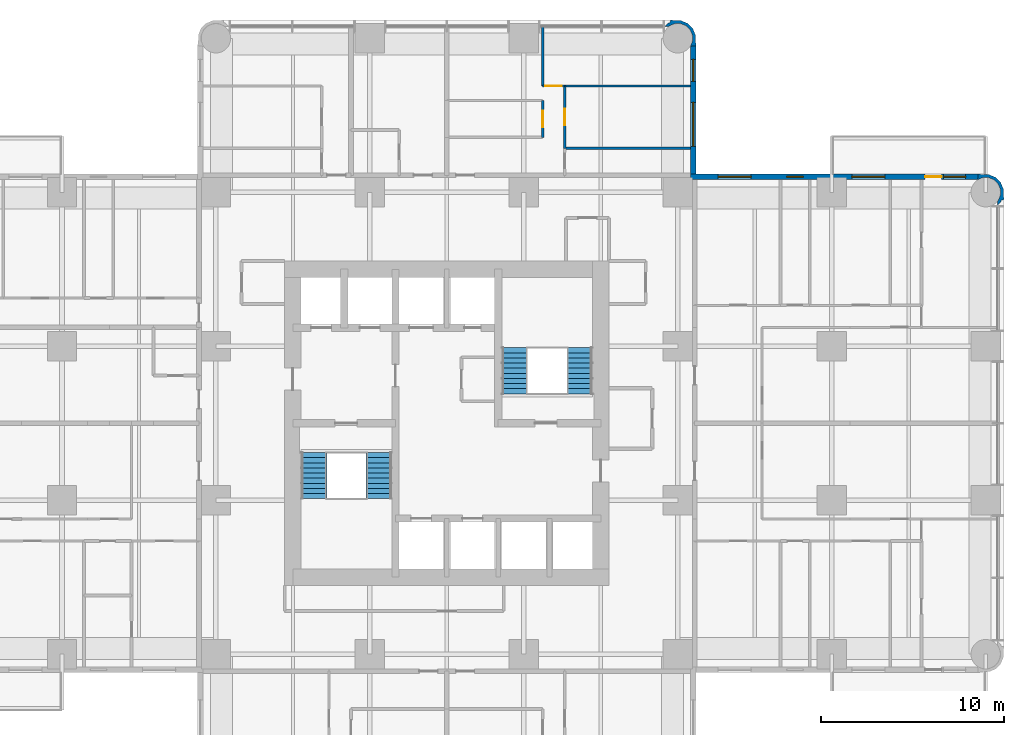
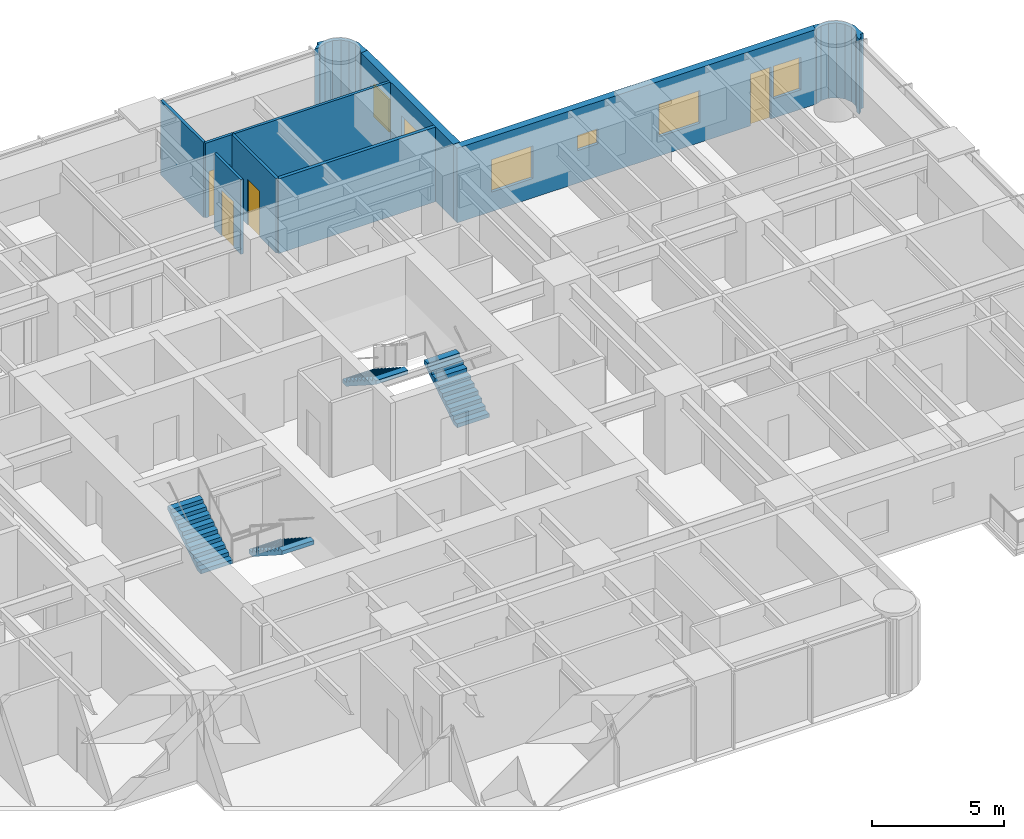
# One storey, part 12 of 14: 10 walls, 6 windows, 4 doors, 4 stair flights, 10 openings, 2 elements without a shape of their own.
"""IFC4 building model written with IfcOpenShell, lengths in metres."""

from ifc_helpers import new_model, si_unit, direction, frame, frame_2d, origin, place, context, subcontext, project, spatial, polyline, rectangle, outline, extrude, material, layer, layer_set, type_object, element, fill, aggregate, save


model = new_model("IFC4")

# Units and contexts
model_context = context("Model", 3, precision=1e-05, world=origin(), true_north=direction((0.0, 1.0)))
body_context = subcontext(model_context, "Body", "Model", "MODEL_VIEW")
ifc_project = project(units=[si_unit("LENGTHUNIT", "METRE"), si_unit("AREAUNIT", "SQUARE_METRE"), si_unit("VOLUMEUNIT", "CUBIC_METRE"), si_unit("PLANEANGLEUNIT", "RADIAN"), si_unit("MASSUNIT", "GRAM", prefix="KILO")], contexts=[model_context])

# Site, building, storey
site_placement = place(None, origin())
site = spatial("IfcSite", under=ifc_project, at=site_placement, CompositionType="ELEMENT")
building_placement = place(site_placement, origin())
building = spatial("IfcBuilding", under=site, at=building_placement, Name="Torre Alcanfor", CompositionType="ELEMENT")
storey_placement = place(building_placement, frame((0.0, 0.0, 134.10009765625)))
storey = spatial("IfcBuildingStorey", under=building, at=storey_placement, Name="L34", CompositionType="ELEMENT", Elevation=134.10009765625)

# Wall, opening, door
ifc_material_1 = material(Name="Gypsum board on steel studs", Category="steel")
ifc_layer_1 = layer(ifc_material_1, 0.1201171875)
ifc_layer_set_1 = layer_set([ifc_layer_1], Name="Apartment partition 120")
wall_type_1 = type_object("IfcWallType", Name="Apartment partition 120", PredefinedType="PARTITIONING", material=ifc_layer_set_1)
wall_1_placement = place(storey_placement, frame((34.62890625, 47.0, 0.0), z_axis=(0.0, 0.0, 1.0), x_axis=(0.0, -1.0, 0.0)))
wall_1 = element("IfcWall", 1, at=wall_1_placement, inside=storey, type_object=wall_type_1, Name="Partition L34-N2-KITCHEN / L34-N2-LIVING", PredefinedType="PARTITIONING", context=body_context, shape_type="SweptSolid", body=[
    extrude(rectangle(XDim=2.0, YDim=0.1201171875, at=frame_2d((1.0, 0.0))), origin(), (0.0, 0.0, 1.0), 3.449951171875),
])
opening_1_placement = place(wall_1_placement, frame((0.550048828125, 0.0, 0.0)))
opening_1 = element("IfcOpeningElement", 2, at=opening_1_placement, cuts=wall_1, Name="Opening D-R1", PredefinedType="OPENING", context=body_context, shape_type="SweptSolid", body=[
    extrude(rectangle(XDim=0.89990234375, YDim=2.10009765625, at=frame_2d((0.449951171875, 1.050048828125))), frame((0.0, 0.070068359375, 0.0), z_axis=(0.0, -1.0, 0.0), x_axis=(1.0, 0.0, 0.0)), (0.0, 0.0, 1.0), 0.14013671875),
])
ifc_material_2 = material(Name="Timber", Category="wood")
door_type_1 = type_object("IfcDoorType", Name="Internal door 900x2100", OperationType="SINGLE_SWING_LEFT", PredefinedType="DOOR", material=ifc_material_2)
door_1_placement = place(opening_1_placement, frame((0.89990234375, 0.0, 0.0), z_axis=(0.0, 0.0, 1.0), x_axis=(-1.0, 0.0, 0.0)))
door_1 = element("IfcDoor", 3, at=door_1_placement, inside=storey, type_object=door_type_1, Name="Door L34-N2 kitchen", OperationType="SINGLE_SWING_RIGHT", OverallHeight=2.10009765625, OverallWidth=0.89990234375, PredefinedType="DOOR", context=body_context, shape_type="SweptSolid", body=[
    extrude(rectangle(XDim=0.89990234375, YDim=2.10009765625, at=frame_2d((0.449951171875, 1.050048828125))), frame((0.0, 0.025146484375, 0.0), z_axis=(0.0, -1.0, 0.0), x_axis=(1.0, 0.0, 0.0)), (0.0, 0.0, 1.0), 0.050048828125),
])
fill(opening_1, door_1)

wall_2_placement = place(storey_placement, frame((35.8291015625, 47.800048828125, 0.0), z_axis=(0.0, 0.0, 1.0), x_axis=(0.0, -1.0, 0.0)))
wall_2 = element("IfcWall", 4, at=wall_2_placement, inside=storey, type_object=wall_type_1, Name="Partition L34-N2-LIVING / L34-N2-STUDY", PredefinedType="PARTITIONING", context=body_context, shape_type="SweptSolid", body=[
    extrude(rectangle(XDim=3.400146484375, YDim=0.1201171875, at=frame_2d((1.7001953125, 0.0))), origin(), (0.0, 0.0, 1.0), 3.449951171875),
])
opening_2_placement = place(wall_2_placement, frame((1.25, 0.0, 0.0)))
opening_2 = element("IfcOpeningElement", 5, at=opening_2_placement, cuts=wall_2, Name="Opening D-R1", PredefinedType="OPENING", context=body_context, shape_type="SweptSolid", body=[
    extrude(rectangle(XDim=0.89990234375, YDim=2.10009765625, at=frame_2d((0.449951171875, 1.050048828125))), frame((0.0, 0.070068359375, 0.0), z_axis=(0.0, -1.0, 0.0), x_axis=(1.0, 0.0, 0.0)), (0.0, 0.0, 1.0), 0.14013671875),
])
door_2_placement = place(opening_2_placement, origin())
door_2 = element("IfcDoor", 6, at=door_2_placement, inside=storey, type_object=door_type_1, Name="Door L34-N2 study", OperationType="SINGLE_SWING_LEFT", OverallHeight=2.10009765625, OverallWidth=0.89990234375, PredefinedType="DOOR", context=body_context, shape_type="SweptSolid", body=[
    extrude(rectangle(XDim=0.89990234375, YDim=2.10009765625, at=frame_2d((0.449951171875, 1.050048828125))), frame((0.0, 0.02490234375, 0.0), z_axis=(0.0, -1.0, 0.0), x_axis=(1.0, 0.0, 0.0)), (0.0, 0.0, 1.0), 0.050048828125),
])
fill(opening_2, door_2)

# Wall
wall_3_placement = place(storey_placement, frame((34.62890625, 51.050048828125, 0.0), z_axis=(0.0, 0.0, 1.0), x_axis=(0.0, -1.0, 0.0)))
element("IfcWall", 7, at=wall_3_placement, inside=storey, type_object=wall_type_1, Name="Partition L34-N2-LIVING / L34-N2-MASTER", PredefinedType="PARTITIONING", context=body_context, shape_type="SweptSolid", body=[
    extrude(rectangle(XDim=3.25, YDim=0.1201171875, at=frame_2d((1.625, 0.0))), origin(), (0.0, 0.0, 1.0), 3.449951171875),
])

# Wall, opening, door
wall_4_placement = place(storey_placement, frame((34.62890625, 47.800048828125, 0.0), z_axis=(0.0, 0.0, 1.0), x_axis=(1.0, 0.0, 0.0)))
wall_4 = element("IfcWall", 8, at=wall_4_placement, inside=storey, type_object=wall_type_1, Name="Partition L34-N2-LIVING / L34-N2-MASTER", PredefinedType="PARTITIONING", context=body_context, shape_type="SweptSolid", body=[
    extrude(rectangle(XDim=1.2001953125, YDim=0.1201171875, at=frame_2d((0.60009765625, 0.0))), origin(), (0.0, 0.0, 1.0), 3.449951171875),
])
opening_3_placement = place(wall_4_placement, frame((0.15087890625, 0.0, 0.0)))
opening_3 = element("IfcOpeningElement", 9, at=opening_3_placement, cuts=wall_4, Name="Opening D-R1", PredefinedType="OPENING", context=body_context, shape_type="SweptSolid", body=[
    extrude(rectangle(XDim=0.89990234375, YDim=2.10009765625, at=frame_2d((0.449951171875, 1.050048828125))), frame((0.0, 0.070068359375, 0.0), z_axis=(0.0, -1.0, 0.0), x_axis=(1.0, 0.0, 0.0)), (0.0, 0.0, 1.0), 0.14013671875),
])
door_3_placement = place(opening_3_placement, origin())
door_3 = element("IfcDoor", 10, at=door_3_placement, inside=storey, type_object=door_type_1, Name="Door L34-N2 master", OperationType="SINGLE_SWING_LEFT", OverallHeight=2.10009765625, OverallWidth=0.89990234375, PredefinedType="DOOR", context=body_context, shape_type="SweptSolid", body=[
    extrude(rectangle(XDim=0.89990234375, YDim=2.10009765625, at=frame_2d((0.449951171875, 1.050048828125))), frame((0.0, 0.02490234375, 0.0), z_axis=(0.0, -1.0, 0.0), x_axis=(1.0, 0.0, 0.0)), (0.0, 0.0, 1.0), 0.050048828125),
])
fill(opening_3, door_3)

# Wall
wall_5_placement = place(storey_placement, frame((35.8291015625, 47.800048828125, 0.0), z_axis=(0.0, 0.0, 1.0), x_axis=(1.0, 0.0, 0.0)))
element("IfcWall", 11, at=wall_5_placement, inside=storey, type_object=wall_type_1, Name="Partition L34-N2-STUDY / L34-N2-MASTER", PredefinedType="PARTITIONING", context=body_context, shape_type="SweptSolid", body=[
    extrude(rectangle(XDim=6.870849609375, YDim=0.1201171875, at=frame_2d((3.435546875, 0.0))), origin(), (0.0, 0.0, 1.0), 3.449951171875),
])

# Wall, openings, door, windows
ifc_material_3 = material(Name="Limestone cladding", Category="masonry")
ifc_layer_2 = layer(ifc_material_3, 0.0400390625, Name="Facing")
ifc_material_4 = material(Name="Ventilated air cavity")
ifc_layer_3 = layer(ifc_material_4, 0.02001953125, ventilated=True, Name="Ventilated joint")
ifc_material_5 = material(Name="Mineral wool insulation", Category="insulation")
ifc_layer_4 = layer(ifc_material_5, 0.10009765625, Name="Insulation")
ifc_material_6 = material(Name="Concrete f'c 35 MPa", Category="concrete")
ifc_layer_5 = layer(ifc_material_6, 0.139892578125, Name="Backing")
ifc_layer_set_2 = layer_set([ifc_layer_2, ifc_layer_3, ifc_layer_4, ifc_layer_5], Name="External wall stone-clad 300")
wall_type_2 = type_object("IfcWallType", Name="External wall stone-clad 300", PredefinedType="SOLIDWALL", material=ifc_layer_set_2)
wall_6_placement = place(storey_placement, frame((58.39990234375, 42.85009765625, 0.0), z_axis=(0.0, 0.0, 1.0), x_axis=(-1.0, 0.0, 0.0)))
wall_6 = element("IfcWall", 12, at=wall_6_placement, inside=storey, type_object=wall_type_2, Name="External wall L34 9", PredefinedType="SOLIDWALL", context=body_context, shape_type="SweptSolid", body=[
    extrude(rectangle(XDim=15.699951171875, YDim=0.300048828125, at=frame_2d((7.85009765625, 0.0))), origin(), (0.0, 0.0, 1.0), 3.449951171875),
])
opening_4_placement = place(wall_6_placement, frame((12.39990234375, 0.0, 0.89990234375)))
opening_4 = element("IfcOpeningElement", 13, at=opening_4_placement, cuts=wall_6, Name="Opening W2", PredefinedType="OPENING", context=body_context, shape_type="SweptSolid", body=[
    extrude(rectangle(XDim=1.800048828125, YDim=1.5, at=frame_2d((0.89990234375, 0.75))), frame((0.0, 0.159912109375, 0.0), z_axis=(0.0, -1.0, 0.0), x_axis=(1.0, 0.0, 0.0)), (0.0, 0.0, 1.0), 0.320068359375),
])
opening_5_placement = place(wall_6_placement, frame((9.550048828125, 0.0, 1.5)))
opening_5 = element("IfcOpeningElement", 14, at=opening_5_placement, cuts=wall_6, Name="Opening W3", PredefinedType="OPENING", context=body_context, shape_type="SweptSolid", body=[
    extrude(rectangle(XDim=0.89990234375, YDim=0.699951171875, at=frame_2d((0.449951171875, 0.35009765625))), frame((0.0, 0.159912109375, 0.0), z_axis=(0.0, -1.0, 0.0), x_axis=(1.0, 0.0, 0.0)), (0.0, 0.0, 1.0), 0.320068359375),
])
opening_6_placement = place(wall_6_placement, frame((5.10009765625, 0.0, 0.89990234375)))
opening_6 = element("IfcOpeningElement", 15, at=opening_6_placement, cuts=wall_6, Name="Opening W2", PredefinedType="OPENING", context=body_context, shape_type="SweptSolid", body=[
    extrude(rectangle(XDim=1.800048828125, YDim=1.5, at=frame_2d((0.89990234375, 0.75))), frame((0.0, 0.159912109375, 0.0), z_axis=(0.0, -1.0, 0.0), x_axis=(1.0, 0.0, 0.0)), (0.0, 0.0, 1.0), 0.320068359375),
])
opening_7_placement = place(wall_6_placement, frame((2.0, 0.0, 0.0)))
opening_7 = element("IfcOpeningElement", 16, at=opening_7_placement, cuts=wall_6, Name="Opening D-B1", PredefinedType="OPENING", context=body_context, shape_type="SweptSolid", body=[
    extrude(rectangle(XDim=0.89990234375, YDim=2.39990234375, at=frame_2d((0.449951171875, 1.199951171875))), frame((0.0, 0.159912109375, 0.0), z_axis=(0.0, -1.0, 0.0), x_axis=(1.0, 0.0, 0.0)), (0.0, 0.0, 1.0), 0.320068359375),
])
opening_8_placement = place(wall_6_placement, frame((0.699951171875, 0.0, 0.89990234375)))
opening_8 = element("IfcOpeningElement", 17, at=opening_8_placement, cuts=wall_6, Name="Opening W4", PredefinedType="OPENING", context=body_context, shape_type="SweptSolid", body=[
    extrude(rectangle(XDim=1.199951171875, YDim=1.5, at=frame_2d((0.60009765625, 0.75))), frame((0.0, 0.159912109375, 0.0), z_axis=(0.0, -1.0, 0.0), x_axis=(1.0, 0.0, 0.0)), (0.0, 0.0, 1.0), 0.320068359375),
])
ifc_material_7 = material(Name="Aluminium and glass", Category="aluminium")
door_type_2 = type_object("IfcDoorType", Name="Balcony door glazed 900x2400", OperationType="SINGLE_SWING_LEFT", PredefinedType="DOOR", material=ifc_material_7)
door_4_placement = place(opening_7_placement, origin())
door_4 = element("IfcDoor", 18, at=door_4_placement, inside=storey, type_object=door_type_2, Name="Balcony door L34-E1", OperationType="SINGLE_SWING_RIGHT", OverallHeight=2.39990234375, OverallWidth=0.89990234375, PredefinedType="DOOR", context=body_context, shape_type="SweptSolid", body=[
    extrude(rectangle(XDim=0.89990234375, YDim=2.39990234375, at=frame_2d((0.449951171875, 1.199951171875))), frame((0.0, 0.02490234375, 0.0), z_axis=(0.0, -1.0, 0.0), x_axis=(1.0, 0.0, 0.0)), (0.0, 0.0, 1.0), 0.050048828125),
])
fill(opening_7, door_4)
ifc_material_8 = material(Name="Aluminium frame with clear double glazing", Category="aluminium")
window_type_1 = type_object("IfcWindowType", Name="Window bathroom 900x700", PartitioningType="SINGLE_PANEL", PredefinedType="WINDOW", material=ifc_material_8)
window_1_placement = place(opening_5_placement, origin())
window_1 = element("IfcWindow", 19, at=window_1_placement, inside=storey, type_object=window_type_1, Name="Window W3 L34-E1", OverallHeight=0.699951171875, OverallWidth=0.89990234375, PartitioningType="SINGLE_PANEL", PredefinedType="WINDOW", context=body_context, shape_type="SweptSolid", body=[
    extrude(rectangle(XDim=0.89990234375, YDim=0.699951171875, at=frame_2d((0.449951171875, 0.35009765625))), frame((0.0, 0.030029296875, 0.0), z_axis=(0.0, -1.0, 0.0), x_axis=(1.0, 0.0, 0.0)), (0.0, 0.0, 1.0), 0.06005859375),
])
fill(opening_5, window_1)
ifc_material_9 = material(Name="Aluminium frame with clear double glazing", Category="aluminium")
window_type_2 = type_object("IfcWindowType", Name="Window bedroom 1200x1500", PartitioningType="SINGLE_PANEL", PredefinedType="WINDOW", material=ifc_material_9)
window_2_placement = place(opening_8_placement, origin())
window_2 = element("IfcWindow", 20, at=window_2_placement, inside=storey, type_object=window_type_2, Name="Window W4 L34-E1", OverallHeight=1.5, OverallWidth=1.199951171875, PartitioningType="SINGLE_PANEL", PredefinedType="WINDOW", context=body_context, shape_type="SweptSolid", body=[
    extrude(rectangle(XDim=1.199951171875, YDim=1.5, at=frame_2d((0.60009765625, 0.75))), frame((0.0, 0.030029296875, 0.0), z_axis=(0.0, -1.0, 0.0), x_axis=(1.0, 0.0, 0.0)), (0.0, 0.0, 1.0), 0.06005859375),
])
fill(opening_8, window_2)
ifc_material_10 = material(Name="Aluminium frame with clear double glazing", Category="aluminium")
window_type_3 = type_object("IfcWindowType", Name="Window bedroom 1800x1500", PartitioningType="SINGLE_PANEL", PredefinedType="WINDOW", material=ifc_material_10)
window_3_placement = place(opening_4_placement, origin())
window_3 = element("IfcWindow", 21, at=window_3_placement, inside=storey, type_object=window_type_3, Name="Window W2 L34-E1", OverallHeight=1.5, OverallWidth=1.800048828125, PartitioningType="SINGLE_PANEL", PredefinedType="WINDOW", context=body_context, shape_type="SweptSolid", body=[
    extrude(rectangle(XDim=1.800048828125, YDim=1.5, at=frame_2d((0.89990234375, 0.75))), frame((0.0, 0.030029296875, 0.0), z_axis=(0.0, -1.0, 0.0), x_axis=(1.0, 0.0, 0.0)), (0.0, 0.0, 1.0), 0.06005859375),
])
fill(opening_4, window_3)
window_4_placement = place(opening_6_placement, origin())
window_4 = element("IfcWindow", 22, at=window_4_placement, inside=storey, type_object=window_type_3, Name="Window W2 L34-E1", OverallHeight=1.5, OverallWidth=1.800048828125, PartitioningType="SINGLE_PANEL", PredefinedType="WINDOW", context=body_context, shape_type="SweptSolid", body=[
    extrude(rectangle(XDim=1.800048828125, YDim=1.5, at=frame_2d((0.89990234375, 0.75))), frame((0.0, 0.030029296875, 0.0), z_axis=(0.0, -1.0, 0.0), x_axis=(1.0, 0.0, 0.0)), (0.0, 0.0, 1.0), 0.06005859375),
])
fill(opening_6, window_4)

# Wall, openings, windows
wall_7_placement = place(storey_placement, frame((42.85009765625, 43.0, 0.0), z_axis=(0.0, 0.0, 1.0), x_axis=(0.0, 1.0, 0.0)))
wall_7 = element("IfcWall", 23, at=wall_7_placement, inside=storey, type_object=wall_type_2, Name="External wall L34 10", PredefinedType="SOLIDWALL", context=body_context, shape_type="SweptSolid", body=[
    extrude(rectangle(XDim=7.0, YDim=0.300048828125, at=frame_2d((3.5, 0.0))), origin(), (0.0, 0.0, 1.0), 3.449951171875),
])
opening_9_placement = place(wall_7_placement, frame((1.5, 0.0, 0.89990234375)))
opening_9 = element("IfcOpeningElement", 24, at=opening_9_placement, cuts=wall_7, Name="Opening W1", PredefinedType="OPENING", context=body_context, shape_type="SweptSolid", body=[
    extrude(rectangle(XDim=2.39990234375, YDim=1.5, at=frame_2d((1.199951171875, 0.75))), frame((0.0, 0.159912109375, 0.0), z_axis=(0.0, -1.0, 0.0), x_axis=(1.0, 0.0, 0.0)), (0.0, 0.0, 1.0), 0.320068359375),
])
opening_10_placement = place(wall_7_placement, frame((5.050048828125, 0.0, 0.89990234375)))
opening_10 = element("IfcOpeningElement", 25, at=opening_10_placement, cuts=wall_7, Name="Opening W4", PredefinedType="OPENING", context=body_context, shape_type="SweptSolid", body=[
    extrude(rectangle(XDim=1.199951171875, YDim=1.5, at=frame_2d((0.60009765625, 0.75))), frame((0.0, 0.159912109375, 0.0), z_axis=(0.0, -1.0, 0.0), x_axis=(1.0, 0.0, 0.0)), (0.0, 0.0, 1.0), 0.320068359375),
])
window_5_placement = place(opening_10_placement, origin())
window_5 = element("IfcWindow", 26, at=window_5_placement, inside=storey, type_object=window_type_2, Name="Window W4 L34-N2", OverallHeight=1.5, OverallWidth=1.199951171875, PartitioningType="SINGLE_PANEL", PredefinedType="WINDOW", context=body_context, shape_type="SweptSolid", body=[
    extrude(rectangle(XDim=1.199951171875, YDim=1.5, at=frame_2d((0.60009765625, 0.75))), frame((0.0, 0.030029296875, 0.0), z_axis=(0.0, -1.0, 0.0), x_axis=(1.0, 0.0, 0.0)), (0.0, 0.0, 1.0), 0.06005859375),
])
fill(opening_10, window_5)
ifc_material_11 = material(Name="Aluminium frame with clear double glazing", Category="aluminium")
window_type_4 = type_object("IfcWindowType", Name="Window bedroom 2400x1500", PartitioningType="SINGLE_PANEL", PredefinedType="WINDOW", material=ifc_material_11)
window_6_placement = place(opening_9_placement, origin())
window_6 = element("IfcWindow", 27, at=window_6_placement, inside=storey, type_object=window_type_4, Name="Window W1 L34-N2", OverallHeight=1.5, OverallWidth=2.39990234375, PartitioningType="SINGLE_PANEL", PredefinedType="WINDOW", context=body_context, shape_type="SweptSolid", body=[
    extrude(rectangle(XDim=2.39990234375, YDim=1.5, at=frame_2d((1.199951171875, 0.75))), frame((0.0, 0.030029296875, 0.0), z_axis=(0.0, -1.0, 0.0), x_axis=(1.0, 0.0, 0.0)), (0.0, 0.0, 1.0), 0.06005859375),
])
fill(opening_9, window_6)

# Walls
ifc_layer_6 = layer(ifc_material_3, 0.0400390625, Name="Facing")
ifc_layer_7 = layer(ifc_material_4, 0.02001953125, ventilated=True, Name="Ventilated joint")
ifc_layer_8 = layer(ifc_material_5, 0.10009765625, Name="Insulation")
ifc_layer_9 = layer(ifc_material_6, 0.139892578125, Name="Backing")
ifc_layer_set_3 = layer_set([ifc_layer_6, ifc_layer_7, ifc_layer_8, ifc_layer_9], Name="Rounded corner pier stone-clad 300")
wall_type_3 = type_object("IfcWallType", Name="Rounded corner pier stone-clad 300", PredefinedType="SOLIDWALL", material=ifc_layer_set_3)
wall_8_placement = place(storey_placement, frame((59.395317512, 41.351928198, 0.0), z_axis=(0.0, 0.0, 1.0), x_axis=(0.93923434088, 0.343276641956, 0.0)))
element("IfcWall", 28, at=wall_8_placement, inside=storey, type_object=wall_type_3, Name="Corner pier L34 18", PredefinedType="SOLIDWALL", context=body_context, shape_type="SweptSolid", body=[
    extrude(outline(polyline([(0.5319791374717469, 0.3931546875748424), (0.6305370795958255, 0.662817672163305), (0.614285462759775, 1.044364627998893), (0.4533652442516045, 1.3906676424071163), (0.17222000156622597, 1.6491237258576117), (-0.09744298302223653, 1.7476816679816904), (-0.36918355555989557, 1.8896284089825286), (-0.509101456401082, 1.6213052972671853), (-0.49052773042177455, 1.6145168675800676), (-0.47941981662998623, 1.6086375342973744), (-0.2113919059229058, 1.6201101578142136), (0.08785145707704622, 1.5107410128550955), (0.32257352025202113, 1.2952455132706726), (0.4567838912150332, 1.0060128786275908), (0.47036434537540095, 0.687566849311498), (0.36107900819019806, 0.38855279157054984), (0.14535420334677107, 0.1539145361694899), (0.10800994465551556, 0.13637103018492347), (0.030906792653685306, -0.07458980809856762), (0.2410056377422186, 0.023039004395991533), (0.3334055822831027, 0.12365495968313633), (0.46532832919806827, 0.0941544704520565), (0.5319791374717469, 0.3931546875748424)])), origin(), (0.0, 0.0, 1.0), 3.449951171875),
])
wall_9_placement = place(storey_placement, frame((42.817059488, 50.073176205, 0.0), z_axis=(0.0, 0.0, 1.0), x_axis=(0.343276641956, 0.93923434088, 0.0)))
element("IfcWall", 29, at=wall_9_placement, inside=storey, type_object=wall_type_3, Name="Corner pier L34 19", PredefinedType="SOLIDWALL", context=body_context, shape_type="SweptSolid", body=[
    extrude(outline(polyline([(0.2655808672444785, -0.0550807599050476), (0.5354731570919448, 0.04356098999294611), (0.8166183997773234, 0.30201707344344164), (0.9775386182854939, 0.6483200878516648), (0.9937902351215443, 1.0298670436872528), (0.8952322929974657, 1.2995300282757154), (0.8283521794647835, 1.5984464376245864), (0.6966587378088214, 1.5690297561674216), (0.6042587932679374, 1.6696457114545662), (0.39415994817940425, 1.7672745239491254), (0.47126310018123446, 1.5563136856656343), (0.50860735887249, 1.538770179681068), (0.7241028584569131, 1.304048116506093), (0.833388195642116, 1.0050340587651447), (0.8200370467407522, 0.686671837222967), (0.68582667577774, 0.3974392025798854), (0.4511046126027651, 0.18194370299546214), (0.15186124960281305, 0.07257455803634424), (-0.11616666110426738, 0.08404718155318341), (-0.12750388015505948, 0.07808404049657515), (-0.14607760613436685, 0.07129561080945748), (-0.0059304000341767055, -0.19694369313197083), (0.2655808672444785, -0.0550807599050476)])), origin(), (0.0, 0.0, 1.0), 3.449951171875),
])
ifc_material_12 = material(Name="Cement board on steel studs", Category="steel")
ifc_layer_10 = layer(ifc_material_12, 0.14990234375)
ifc_layer_set_4 = layer_set([ifc_layer_10], Name="Wet area partition 150")
wall_type_4 = type_object("IfcWallType", Name="Wet area partition 150", PredefinedType="PARTITIONING", material=ifc_layer_set_4)
wall_10_placement = place(storey_placement, frame((35.8291015625, 44.39990234375, 0.0), z_axis=(0.0, 0.0, 1.0), x_axis=(1.0, 0.0, 0.0)))
element("IfcWall", 30, at=wall_10_placement, inside=storey, type_object=wall_type_4, Name="Partition L34-N2-BATH / L34-N2-STUDY", PredefinedType="PARTITIONING", context=body_context, shape_type="SweptSolid", body=[
    extrude(rectangle(XDim=6.870849609375, YDim=0.14990234375, at=frame_2d((3.435546875, 0.0))), origin(), (0.0, 0.0, 1.0), 3.449951171875),
])

# Stair, stair flights
ifc_material_13 = material(Name="Concrete f'c 35 MPa", Category="concrete")
stair_type_1 = type_object("IfcStairType", Name="Exit stair S1 1400 wide", PredefinedType="HALF_TURN_STAIR", material=ifc_material_13)
stair_1_placement = place(storey_placement, origin())
stair_1 = element("IfcStair", 31, at=stair_1_placement, inside=storey, type_object=stair_type_1, Name="Stair S1 L34 to L35", PredefinedType="HALF_TURN_STAIR")
ifc_material_14 = material(Name="Concrete f'c 35 MPa", Category="concrete")
stair_flight_type = type_object("IfcStairFlightType", Name="Stair flight 1400", PredefinedType="STRAIGHT", material=ifc_material_14)
stair_flight_1_placement = place(storey_placement, frame((25.699951171875, 27.800048828125, 0.0), z_axis=(0.0, 0.0, 1.0), x_axis=(0.0, -1.0, 0.0)))
stair_flight_1 = element("IfcStairFlight", 32, at=stair_flight_1_placement, type_object=stair_flight_type, Name="S1 flight 1", NumberOfRisers=10, NumberOfTreads=9, PredefinedType="STRAIGHT", RiserHeight=0.18, TreadLength=0.28, context=body_context, shape_type="SweptSolid", body=[
    extrude(outline(polyline([(0.0, 0.0), (0.0, 0.179931640625), (0.280029296875, 0.179931640625), (0.280029296875, 0.360107421875), (0.56005859375, 0.360107421875), (0.56005859375, 0.5400390625), (0.840087890625, 0.5400390625), (0.840087890625, 0.719970703125), (1.1201171875, 0.719970703125), (1.1201171875, 0.89990234375), (1.39990234375, 0.89990234375), (1.39990234375, 1.080078125), (1.679931640625, 1.080078125), (1.679931640625, 1.260009765625), (1.9599609375, 1.260009765625), (1.9599609375, 1.43994140625), (2.239990234375, 1.43994140625), (2.239990234375, 1.6201171875), (2.52001953125, 1.6201171875), (2.52001953125, 1.800048828125), (2.52001953125, 1.44189453125), (0.277099609375, 0.0), (0.0, 0.0)])), frame((0.0, 0.699951171875, 0.0), z_axis=(0.0, -1.0, 0.0), x_axis=(1.0, 0.0, 0.0)), (0.0, 0.0, 1.0), 1.39990234375),
])
stair_flight_2_placement = place(storey_placement, frame((22.14990234375, 25.280029296875, 1.7998046875), z_axis=(0.0, 0.0, 1.0), x_axis=(0.0, 1.0, 0.0)))
stair_flight_2 = element("IfcStairFlight", 33, at=stair_flight_2_placement, type_object=stair_flight_type, Name="S1 flight 2", NumberOfRisers=10, NumberOfTreads=9, PredefinedType="STRAIGHT", RiserHeight=0.18, TreadLength=0.28, context=body_context, shape_type="SweptSolid", body=[
    extrude(outline(polyline([(0.0, 0.0), (0.0, 0.179931640625), (0.280029296875, 0.179931640625), (0.280029296875, 0.360107421875), (0.56005859375, 0.360107421875), (0.56005859375, 0.5400390625), (0.840087890625, 0.5400390625), (0.840087890625, 0.719970703125), (1.1201171875, 0.719970703125), (1.1201171875, 0.89990234375), (1.39990234375, 0.89990234375), (1.39990234375, 1.080078125), (1.679931640625, 1.080078125), (1.679931640625, 1.260009765625), (1.9599609375, 1.260009765625), (1.9599609375, 1.43994140625), (2.239990234375, 1.43994140625), (2.239990234375, 1.6201171875), (2.52001953125, 1.6201171875), (2.52001953125, 1.800048828125), (2.52001953125, 1.44189453125), (0.277099609375, 0.0), (0.0, 0.0)])), frame((0.0, 0.699951171875, 0.0), z_axis=(0.0, -1.0, 0.0), x_axis=(1.0, 0.0, 0.0)), (0.0, 0.0, 1.0), 1.39990234375),
])
aggregate(stair_1, [stair_flight_1, stair_flight_2])

ifc_material_15 = material(Name="Concrete f'c 35 MPa", Category="concrete")
stair_type_2 = type_object("IfcStairType", Name="Exit stair S2 1400 wide", PredefinedType="HALF_TURN_STAIR", material=ifc_material_15)
stair_2_placement = place(storey_placement, origin())
stair_2 = element("IfcStair", 34, at=stair_2_placement, inside=storey, type_object=stair_type_2, Name="Stair S2 L34 to L35", PredefinedType="HALF_TURN_STAIR")
stair_flight_3_placement = place(storey_placement, frame((36.64990234375, 31.0, 0.0), z_axis=(0.0, 0.0, 1.0), x_axis=(0.0, 1.0, 0.0)))
stair_flight_3 = element("IfcStairFlight", 35, at=stair_flight_3_placement, type_object=stair_flight_type, Name="S2 flight 1", NumberOfRisers=10, NumberOfTreads=9, PredefinedType="STRAIGHT", RiserHeight=0.18, TreadLength=0.28, context=body_context, shape_type="SweptSolid", body=[
    extrude(outline(polyline([(0.0, 0.0), (0.0, 0.179931640625), (0.280029296875, 0.179931640625), (0.280029296875, 0.360107421875), (0.56005859375, 0.360107421875), (0.56005859375, 0.5400390625), (0.840087890625, 0.5400390625), (0.840087890625, 0.719970703125), (1.1201171875, 0.719970703125), (1.1201171875, 0.89990234375), (1.39990234375, 0.89990234375), (1.39990234375, 1.080078125), (1.679931640625, 1.080078125), (1.679931640625, 1.260009765625), (1.9599609375, 1.260009765625), (1.9599609375, 1.43994140625), (2.239990234375, 1.43994140625), (2.239990234375, 1.6201171875), (2.52001953125, 1.6201171875), (2.52001953125, 1.800048828125), (2.52001953125, 1.44189453125), (0.277099609375, 0.0), (0.0, 0.0)])), frame((0.0, 0.699951171875, 0.0), z_axis=(0.0, -1.0, 0.0), x_axis=(1.0, 0.0, 0.0)), (0.0, 0.0, 1.0), 1.39990234375),
])
stair_flight_4_placement = place(storey_placement, frame((33.10009765625, 33.52001953125, 1.7998046875), z_axis=(0.0, 0.0, 1.0), x_axis=(0.0, -1.0, 0.0)))
stair_flight_4 = element("IfcStairFlight", 36, at=stair_flight_4_placement, type_object=stair_flight_type, Name="S2 flight 2", NumberOfRisers=10, NumberOfTreads=9, PredefinedType="STRAIGHT", RiserHeight=0.18, TreadLength=0.28, context=body_context, shape_type="SweptSolid", body=[
    extrude(outline(polyline([(0.0, 0.0), (0.0, 0.179931640625), (0.280029296875, 0.179931640625), (0.280029296875, 0.360107421875), (0.56005859375, 0.360107421875), (0.56005859375, 0.5400390625), (0.840087890625, 0.5400390625), (0.840087890625, 0.719970703125), (1.1201171875, 0.719970703125), (1.1201171875, 0.89990234375), (1.39990234375, 0.89990234375), (1.39990234375, 1.080078125), (1.679931640625, 1.080078125), (1.679931640625, 1.260009765625), (1.9599609375, 1.260009765625), (1.9599609375, 1.43994140625), (2.239990234375, 1.43994140625), (2.239990234375, 1.6201171875), (2.52001953125, 1.6201171875), (2.52001953125, 1.800048828125), (2.52001953125, 1.44189453125), (0.277099609375, 0.0), (0.0, 0.0)])), frame((0.0, 0.699951171875, 0.0), z_axis=(0.0, -1.0, 0.0), x_axis=(1.0, 0.0, 0.0)), (0.0, 0.0, 1.0), 1.39990234375),
])
aggregate(stair_2, [stair_flight_3, stair_flight_4])

save(model, "model.ifc")
